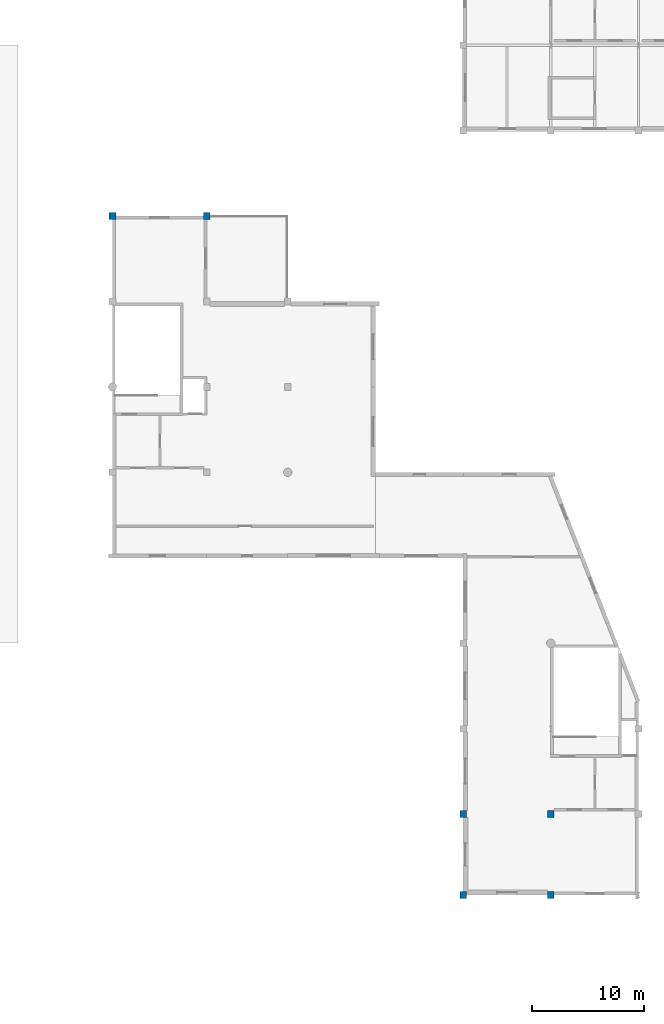
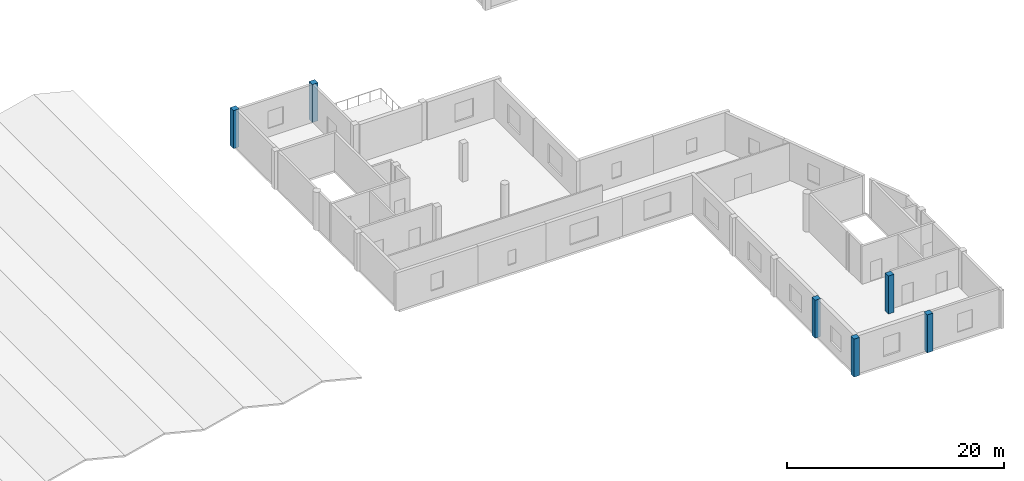
# One storey, part 6 of 28: 6 columns.
"""IFC4 building model written with IfcOpenShell, lengths in metres."""

from ifc_helpers import new_model, si_unit, direction, frame, origin, origin_2d, place, context, subcontext, project, spatial, rectangle, extrude, material, material_profile, profile_set, type_object, element, save


model = new_model("IFC4")

# Units and contexts
model_context = context("Model", 3, precision=1e-05, world=origin(), true_north=direction((0.0, 1.0)))
body_context = subcontext(model_context, "Body", "Model", "MODEL_VIEW")
ifc_project = project(units=[si_unit("LENGTHUNIT", "METRE"), si_unit("AREAUNIT", "SQUARE_METRE"), si_unit("VOLUMEUNIT", "CUBIC_METRE"), si_unit("PLANEANGLEUNIT", "RADIAN"), si_unit("MASSUNIT", "GRAM", prefix="KILO")], contexts=[model_context])

# Site, building, storey
site_placement = place(None, origin())
site = spatial("IfcSite", under=ifc_project, at=site_placement, CompositionType="ELEMENT")
building_placement = place(site_placement, origin())
building = spatial("IfcBuilding", under=site, at=building_placement, Name="Xicomal Pleat Aquarium", CompositionType="ELEMENT")
storey_placement = place(building_placement, frame((0.0, 0.0, 15.300048828125)))
storey = spatial("IfcBuildingStorey", under=building, at=storey_placement, Name="L04", CompositionType="ELEMENT", Elevation=15.300048828125)

# Columns
ifc_material = material(Name="Concrete C40/50", Category="concrete")
ifc_material_profile = material_profile(ifc_material, rectangle(XDim=0.60009765625, YDim=0.60009765625, at=origin_2d()), Name="RC 600x600")
ifc_profile_set = profile_set([ifc_material_profile], Name="Concrete C40/50")
column_type = type_object("IfcColumnType", Name="COL-RC-600x600", PredefinedType="COLUMN", material=ifc_profile_set)
for number, where, z_axis, x_axis, name in (
    (1, (102.60009765625, 68.39990234375, 0.0), (0.0, 0.0, 1.0), (1.0, 0.0, 0.0), "L04 column 13/K"),
    (2, (111.0, 68.39990234375, 0.0), (0.0, 0.0, 1.0), (1.0, 0.0, 0.0), "L04 column 14/K"),
    (3, (133.800048828125, 8.0, 0.0), (0.0, 0.0, 1.0), (1.0, 0.0, 0.0), "L04 column 17/B"),
    (4, (133.800048828125, 15.199951171875, 0.0), (0.0, 0.0, 1.0), (1.0, 0.0, 0.0), "L04 column 17/C"),
    (5, (141.60009765625, 8.0, 0.0), (0.0, 0.0, 1.0), (1.0, 0.0, 0.0), "L04 column 18/B"),
    (6, (141.60009765625, 15.199951171875, 0.0), (0.0, 0.0, 1.0), (1.0, 0.0, 0.0), "L04 column 18/C"),
):
    element("IfcColumn", number, at=place(storey_placement, frame(where, z_axis=z_axis, x_axis=x_axis)), inside=storey, type_object=column_type, Name=name, PredefinedType="COLUMN", context=body_context, shape_type="SweptSolid", body=[
        extrude(rectangle(XDim=0.60009765625, YDim=0.60009765625, at=origin_2d()), origin(), (0.0, 0.0, 1.0), 4.284912109375),
    ])

save(model, "model.ifc")
